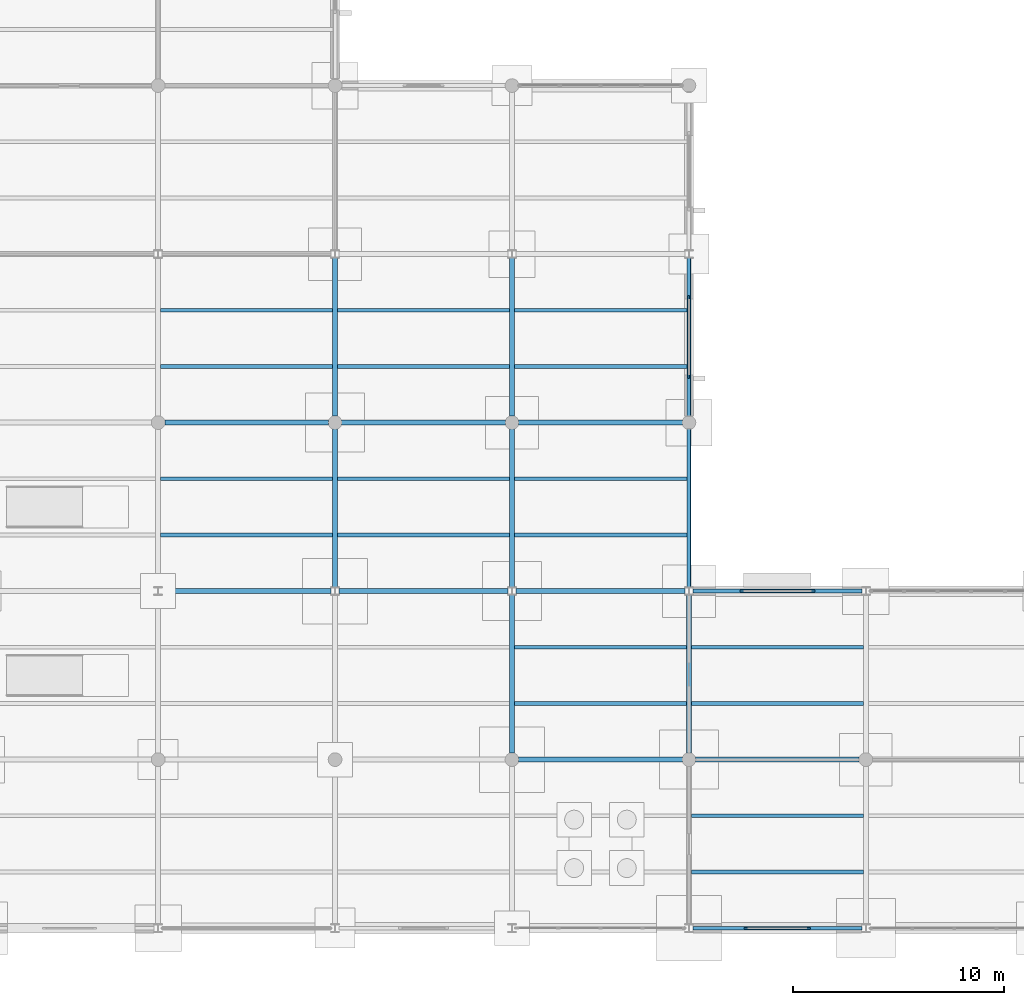
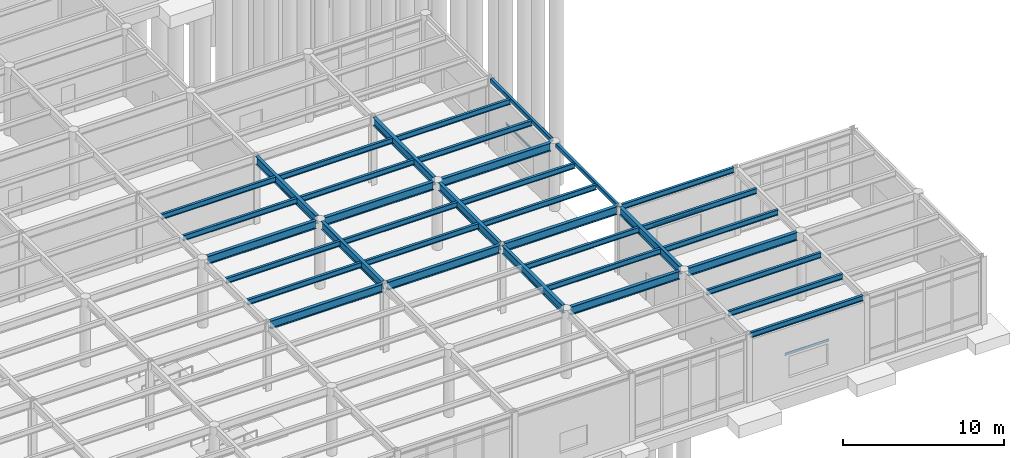
# One storey, part 53 of 138: 39 beams.
"""IFC4 building model written with IfcOpenShell, lengths in metres."""

from ifc_helpers import new_model, si_unit, direction, frame, origin, origin_2d, place, context, subcontext, project, spatial, hollow_rectangle, i_section, u_section, extrude, material, material_profile, profile_set, type_object, element, save


model = new_model("IFC4")

# Units and contexts
model_context = context("Model", 3, precision=1e-05, world=origin(), true_north=direction((0.0, 1.0)))
body_context = subcontext(model_context, "Body", "Model", "MODEL_VIEW")
ifc_project = project(units=[si_unit("LENGTHUNIT", "METRE"), si_unit("AREAUNIT", "SQUARE_METRE"), si_unit("VOLUMEUNIT", "CUBIC_METRE"), si_unit("PLANEANGLEUNIT", "RADIAN"), si_unit("MASSUNIT", "GRAM", prefix="KILO")], contexts=[model_context])

# Site, building, storey
site_placement = place(None, origin())
site = spatial("IfcSite", under=ifc_project, at=site_placement, CompositionType="ELEMENT")
building_placement = place(site_placement, origin())
building = spatial("IfcBuilding", under=site, at=building_placement, Name="Kranzveld Transit Interchange", CompositionType="ELEMENT")
storey_placement = place(building_placement, origin())
storey = spatial("IfcBuildingStorey", under=building, at=storey_placement, Name="L00", CompositionType="ELEMENT", Elevation=0.0)

# Beams
ifc_material_1 = material(Name="Steel S355JR", Category="steel")
ifc_material_profile_1 = material_profile(ifc_material_1, hollow_rectangle(XDim=0.199951171875, YDim=0.300048828125, WallThickness=0.010009765625, InnerFilletRadius=0.014892578125, OuterFilletRadius=0.02490234375, at=origin_2d()), Name="RHS 300x200x10")
ifc_profile_set_1 = profile_set([ifc_material_profile_1], Name="Steel S355JR")
beam_type_1 = type_object("IfcBeamType", Name="Edge Spandrel RHS 300x200x10 S355JR", PredefinedType="SPANDREL", material=ifc_profile_set_1)
for number, where, z_axis, x_axis, name in (
    (1, (151.199951171875, 16.186767578125, 5.0), (0.0, 1.0, 0.0), (-1.0, 0.0, 0.0), "L00 Girder 19/C-D"),
    (2, (151.199951171875, 24.31494140625, 5.0), (0.0, 1.0, 0.0), (-1.0, 0.0, 0.0), "L00 Girder 19/D-E"),
):
    element("IfcBeam", number, at=place(storey_placement, frame(where, z_axis=z_axis, x_axis=x_axis)), inside=storey, type_object=beam_type_1, Name=name, PredefinedType="SPANDREL", context=body_context, shape_type="SweptSolid", body=[
        extrude(hollow_rectangle(XDim=0.199951171875, YDim=0.300048828125, WallThickness=0.010009765625, InnerFilletRadius=0.014892578125, OuterFilletRadius=0.02490234375, at=origin_2d()), origin(), (0.0, 0.0, 1.0), 7.498291015625),
    ])
ifc_material_2 = material(Name="Steel S355JR", Category="steel")
ifc_material_profile_2 = material_profile(ifc_material_2, i_section(OverallWidth=0.1787109375, OverallDepth=0.409423828125, WebThickness=0.0087890625, FlangeThickness=0.014404296875, FilletRadius=0.01025390625, at=origin_2d()), Name="UB 406x178x67")
ifc_profile_set_2 = profile_set([ifc_material_profile_2], Name="Steel S355JR")
beam_type_2 = type_object("IfcBeamType", Name="Facade Spandrel UB 406x178x67 S355JR", PredefinedType="SPANDREL", material=ifc_profile_set_2)
for number, where, z_axis, x_axis, name in (
    (3, (151.389404296875, 0.0, 4.9453125), (1.0, 0.0, 0.0), (0.0, 1.0, 0.0), "L00 Girder 19-20/A"),
    (4, (151.389404296875, 16.0, 4.9453125), (1.0, 0.0, 0.0), (0.0, 1.0, 0.0), "L00 Girder 19-20/C"),
):
    element("IfcBeam", number, at=place(storey_placement, frame(where, z_axis=z_axis, x_axis=x_axis)), inside=storey, type_object=beam_type_2, Name=name, PredefinedType="SPANDREL", context=body_context, shape_type="SweptSolid", body=[
        extrude(i_section(OverallWidth=0.1787109375, OverallDepth=0.409423828125, WebThickness=0.0087890625, FlangeThickness=0.014404296875, FilletRadius=0.01025390625, at=origin_2d()), origin(), (0.0, 0.0, 1.0), 8.02099609375),
    ])
ifc_material_3 = material(Name="Steel S355JR", Category="steel")
ifc_material_profile_3 = material_profile(ifc_material_3, i_section(OverallWidth=0.177734375, OverallDepth=0.402587890625, WebThickness=0.0078125, FlangeThickness=0.010986328125, FilletRadius=0.01025390625, at=origin_2d()), Name="UB 406x178x54")
ifc_profile_set_3 = profile_set([ifc_material_profile_3], Name="Steel S355JR")
beam_type_3 = type_object("IfcBeamType", Name="Floor Joist UB 406x178x54 S355JR", PredefinedType="JOIST", material=ifc_profile_set_3)
for number, where, z_axis, x_axis, name in (
    (5, (126.1162109375, 18.666748046875, 4.94873046875), (1.0, 0.0, 0.0), (0.0, 1.0, 0.0), "L00 Secondary Joist 16-17/C.1"),
    (6, (126.1162109375, 21.333251953125, 4.94873046875), (1.0, 0.0, 0.0), (0.0, 1.0, 0.0), "L00 Secondary Joist 16-17/C.2"),
    (7, (126.1162109375, 26.666748046875, 4.94873046875), (1.0, 0.0, 0.0), (0.0, 1.0, 0.0), "L00 Secondary Joist 16-17/D.1"),
    (8, (126.1162109375, 29.333251953125, 4.94873046875), (1.0, 0.0, 0.0), (0.0, 1.0, 0.0), "L00 Secondary Joist 16-17/D.2"),
    (9, (134.51611328125, 18.666748046875, 4.94873046875), (1.0, 0.0, 0.0), (0.0, 1.0, 0.0), "L00 Secondary Joist 17-18/C.1"),
    (10, (134.51611328125, 21.333251953125, 4.94873046875), (1.0, 0.0, 0.0), (0.0, 1.0, 0.0), "L00 Secondary Joist 17-18/C.2"),
    (11, (134.51611328125, 26.666748046875, 4.94873046875), (1.0, 0.0, 0.0), (0.0, 1.0, 0.0), "L00 Secondary Joist 17-18/D.1"),
    (12, (134.51611328125, 29.333251953125, 4.94873046875), (1.0, 0.0, 0.0), (0.0, 1.0, 0.0), "L00 Secondary Joist 17-18/D.2"),
):
    element("IfcBeam", number, at=place(storey_placement, frame(where, z_axis=z_axis, x_axis=x_axis)), inside=storey, type_object=beam_type_3, Name=name, PredefinedType="JOIST", context=body_context, shape_type="SweptSolid", body=[
        extrude(i_section(OverallWidth=0.177734375, OverallDepth=0.402587890625, WebThickness=0.0078125, FlangeThickness=0.010986328125, FilletRadius=0.01025390625, at=origin_2d()), origin(), (0.0, 0.0, 1.0), 8.167724609375),
    ])
for number, where, z_axis, x_axis, name in (
    (13, (142.916015625, 10.666748046875, 4.94873046875), (1.0, 0.0, 0.0), (0.0, 1.0, 0.0), "L00 Secondary Joist 18-19/B.1"),
    (14, (142.916015625, 13.333251953125, 4.94873046875), (1.0, 0.0, 0.0), (0.0, 1.0, 0.0), "L00 Secondary Joist 18-19/B.2"),
):
    element("IfcBeam", number, at=place(storey_placement, frame(where, z_axis=z_axis, x_axis=x_axis)), inside=storey, type_object=beam_type_3, Name=name, PredefinedType="JOIST", context=body_context, shape_type="SweptSolid", body=[
        extrude(i_section(OverallWidth=0.177734375, OverallDepth=0.402587890625, WebThickness=0.0078125, FlangeThickness=0.010986328125, FilletRadius=0.01025390625, at=origin_2d()), origin(), (0.0, 0.0, 1.0), 8.16796875),
    ])
for number, where, z_axis, x_axis, name in (
    (15, (142.916015625, 18.666748046875, 4.94873046875), (1.0, 0.0, 0.0), (0.0, 1.0, 0.0), "L00 Secondary Joist 18-19/C.1"),
    (16, (142.916015625, 21.333251953125, 4.94873046875), (1.0, 0.0, 0.0), (0.0, 1.0, 0.0), "L00 Secondary Joist 18-19/C.2"),
    (17, (142.916015625, 26.666748046875, 4.94873046875), (1.0, 0.0, 0.0), (0.0, 1.0, 0.0), "L00 Secondary Joist 18-19/D.1"),
    (18, (142.916015625, 29.333251953125, 4.94873046875), (1.0, 0.0, 0.0), (0.0, 1.0, 0.0), "L00 Secondary Joist 18-19/D.2"),
):
    element("IfcBeam", number, at=place(storey_placement, frame(where, z_axis=z_axis, x_axis=x_axis)), inside=storey, type_object=beam_type_3, Name=name, PredefinedType="JOIST", context=body_context, shape_type="SweptSolid", body=[
        extrude(i_section(OverallWidth=0.177734375, OverallDepth=0.402587890625, WebThickness=0.0078125, FlangeThickness=0.010986328125, FilletRadius=0.01025390625, at=origin_2d()), origin(), (0.0, 0.0, 1.0), 8.181884765625),
    ])
for number, where, z_axis, x_axis, name in (
    (19, (151.316162109375, 2.666748046875, 4.94873046875), (1.0, 0.0, 0.0), (0.0, 1.0, 0.0), "L00 Secondary Joist 19-20/A.1"),
    (20, (151.316162109375, 5.333251953125, 4.94873046875), (1.0, 0.0, 0.0), (0.0, 1.0, 0.0), "L00 Secondary Joist 19-20/A.2"),
    (21, (151.316162109375, 10.666748046875, 4.94873046875), (1.0, 0.0, 0.0), (0.0, 1.0, 0.0), "L00 Secondary Joist 19-20/B.1"),
    (22, (151.316162109375, 13.333251953125, 4.94873046875), (1.0, 0.0, 0.0), (0.0, 1.0, 0.0), "L00 Secondary Joist 19-20/B.2"),
):
    element("IfcBeam", number, at=place(storey_placement, frame(where, z_axis=z_axis, x_axis=x_axis)), inside=storey, type_object=beam_type_3, Name=name, PredefinedType="JOIST", context=body_context, shape_type="SweptSolid", body=[
        extrude(i_section(OverallWidth=0.177734375, OverallDepth=0.402587890625, WebThickness=0.0078125, FlangeThickness=0.010986328125, FilletRadius=0.01025390625, at=origin_2d()), origin(), (0.0, 0.0, 1.0), 8.167724609375),
    ])
ifc_material_4 = material(Name="Steel S355JR", Category="steel")
ifc_material_profile_4 = material_profile(ifc_material_4, i_section(OverallWidth=0.228271484375, OverallDepth=0.607666015625, WebThickness=0.010986328125, FlangeThickness=0.017333984375, FilletRadius=0.0126953125, at=origin_2d()), Name="UB 610x229x113")
ifc_profile_set_4 = profile_set([ifc_material_profile_4], Name="Steel S355JR")
beam_type_4 = type_object("IfcBeamType", Name="Girder Steel UB 610x229x113 S355JR", PredefinedType="BEAM", material=ifc_profile_set_4)
for number, where, z_axis, x_axis, name in (
    (23, (134.39990234375, 16.186767578125, 4.84619140625), (0.0, 1.0, 0.0), (-1.0, 0.0, 0.0), "L00 Girder 17/C-D"),
    (24, (134.39990234375, 24.31494140625, 4.84619140625), (0.0, 1.0, 0.0), (-1.0, 0.0, 0.0), "L00 Girder 17/D-E"),
    (25, (142.800048828125, 8.31494140625, 4.84619140625), (0.0, 1.0, 0.0), (-1.0, 0.0, 0.0), "L00 Girder 18/B-C"),
    (26, (142.800048828125, 16.186767578125, 4.84619140625), (0.0, 1.0, 0.0), (-1.0, 0.0, 0.0), "L00 Girder 18/C-D"),
    (27, (142.800048828125, 24.31494140625, 4.84619140625), (0.0, 1.0, 0.0), (-1.0, 0.0, 0.0), "L00 Girder 18/D-E"),
    (28, (151.199951171875, 8.31494140625, 4.84619140625), (0.0, 1.0, 0.0), (-1.0, 0.0, 0.0), "L00 Girder 19/B-C"),
):
    element("IfcBeam", number, at=place(storey_placement, frame(where, z_axis=z_axis, x_axis=x_axis)), inside=storey, type_object=beam_type_4, Name=name, PredefinedType="BEAM", context=body_context, shape_type="SweptSolid", body=[
        extrude(i_section(OverallWidth=0.228271484375, OverallDepth=0.607666015625, WebThickness=0.010986328125, FlangeThickness=0.017333984375, FilletRadius=0.0126953125, at=origin_2d()), origin(), (0.0, 0.0, 1.0), 7.498291015625),
    ])
ifc_material_5 = material(Name="Steel S355JR", Category="steel")
ifc_material_profile_5 = material_profile(ifc_material_5, i_section(OverallWidth=0.230224609375, OverallDepth=0.6171875, WebThickness=0.01318359375, FlangeThickness=0.022216796875, FilletRadius=0.0126953125, at=origin_2d()), Name="UB 610x229x140")
ifc_profile_set_5 = profile_set([ifc_material_profile_5], Name="Steel S355JR")
beam_type_5 = type_object("IfcBeamType", Name="Girder Steel UB 610x229x140 S355JR", PredefinedType="BEAM", material=ifc_profile_set_5)
for number, where, z_axis, x_axis, name in (
    (29, (143.114990234375, 8.0, 4.84130859375), (1.0, 0.0, 0.0), (0.0, 1.0, 0.0), "L00 Girder 18-19/B"),
    (30, (151.514892578125, 8.0, 4.84130859375), (1.0, 0.0, 0.0), (0.0, 1.0, 0.0), "L00 Girder 19-20/B"),
):
    element("IfcBeam", number, at=place(storey_placement, frame(where, z_axis=z_axis, x_axis=x_axis)), inside=storey, type_object=beam_type_5, Name=name, PredefinedType="BEAM", context=body_context, shape_type="SweptSolid", body=[
        extrude(i_section(OverallWidth=0.230224609375, OverallDepth=0.6171875, WebThickness=0.01318359375, FlangeThickness=0.022216796875, FilletRadius=0.0126953125, at=origin_2d()), origin(), (0.0, 0.0, 1.0), 7.77001953125),
    ])
for number, where, z_axis, x_axis, name in (
    (31, (126.189453125, 16.0, 4.84130859375), (1.0, 0.0, 0.0), (0.0, 1.0, 0.0), "L00 Girder 16-17/C"),
    (32, (134.589599609375, 16.0, 4.84130859375), (1.0, 0.0, 0.0), (0.0, 1.0, 0.0), "L00 Girder 17-18/C"),
    (33, (142.989501953125, 16.0, 4.84130859375), (1.0, 0.0, 0.0), (0.0, 1.0, 0.0), "L00 Girder 18-19/C"),
):
    element("IfcBeam", number, at=place(storey_placement, frame(where, z_axis=z_axis, x_axis=x_axis)), inside=storey, type_object=beam_type_5, Name=name, PredefinedType="BEAM", context=body_context, shape_type="SweptSolid", body=[
        extrude(i_section(OverallWidth=0.230224609375, OverallDepth=0.6171875, WebThickness=0.01318359375, FlangeThickness=0.022216796875, FilletRadius=0.0126953125, at=origin_2d()), origin(), (0.0, 0.0, 1.0), 8.02099609375),
    ])
for number, where, z_axis, x_axis, name in (
    (34, (126.31494140625, 24.0, 4.84130859375), (1.0, 0.0, 0.0), (0.0, 1.0, 0.0), "L00 Girder 16-17/D"),
    (35, (134.715087890625, 24.0, 4.84130859375), (1.0, 0.0, 0.0), (0.0, 1.0, 0.0), "L00 Girder 17-18/D"),
    (36, (143.114990234375, 24.0, 4.84130859375), (1.0, 0.0, 0.0), (0.0, 1.0, 0.0), "L00 Girder 18-19/D"),
):
    element("IfcBeam", number, at=place(storey_placement, frame(where, z_axis=z_axis, x_axis=x_axis)), inside=storey, type_object=beam_type_5, Name=name, PredefinedType="BEAM", context=body_context, shape_type="SweptSolid", body=[
        extrude(i_section(OverallWidth=0.230224609375, OverallDepth=0.6171875, WebThickness=0.01318359375, FlangeThickness=0.022216796875, FilletRadius=0.0126953125, at=origin_2d()), origin(), (0.0, 0.0, 1.0), 7.77001953125),
    ])
ifc_material_6 = material(Name="Steel S355JR", Category="steel")
ifc_material_profile_6 = material_profile(ifc_material_6, u_section(Depth=0.179931640625, FlangeWidth=0.070068359375, WebThickness=0.007080078125, FlangeThickness=0.010986328125, FilletRadius=0.010009765625, at=origin_2d()), Name="PFC 180x70x22")
ifc_profile_set_6 = profile_set([ifc_material_profile_6], Name="Steel S355JR")
beam_type_6 = type_object("IfcBeamType", Name="Masonry Lintel PFC 180x70x22 S355JR", PredefinedType="LINTEL", material=ifc_profile_set_6)
beam_1_placement = place(storey_placement, frame((151.199951171875, 26.083984375, 2.794921875), z_axis=(0.0, 1.0, 0.0), x_axis=(-1.0, 0.0, 0.0)))
element("IfcBeam", 37, at=beam_1_placement, inside=storey, type_object=beam_type_6, Name="L00 Window Lintel 041", PredefinedType="LINTEL", context=body_context, shape_type="SweptSolid", body=[
    extrude(u_section(Depth=0.179931640625, FlangeWidth=0.070068359375, WebThickness=0.007080078125, FlangeThickness=0.010986328125, FilletRadius=0.010009765625, at=origin_2d()), origin(), (0.0, 0.0, 1.0), 3.960205078125),
])
beam_2_placement = place(storey_placement, frame((153.820068359375, 0.0, 2.594970703125), z_axis=(1.0, 0.0, 0.0), x_axis=(0.0, 1.0, 0.0)))
element("IfcBeam", 38, at=beam_2_placement, inside=storey, type_object=beam_type_6, Name="L00 Window Lintel 045", PredefinedType="LINTEL", context=body_context, shape_type="SweptSolid", body=[
    extrude(u_section(Depth=0.179931640625, FlangeWidth=0.070068359375, WebThickness=0.007080078125, FlangeThickness=0.010986328125, FilletRadius=0.010009765625, at=origin_2d()), origin(), (0.0, 0.0, 1.0), 3.159912109375),
])
ifc_material_7 = material(Name="Steel S355JR", Category="steel")
ifc_material_profile_7 = material_profile(ifc_material_7, i_section(OverallWidth=0.091064453125, OverallDepth=0.179931640625, WebThickness=0.00537109375, FlangeThickness=0.008056640625, FilletRadius=0.009033203125, at=origin_2d()), Name="IPE 180")
ifc_profile_set_7 = profile_set([ifc_material_profile_7], Name="Steel S355JR")
beam_type_7 = type_object("IfcBeamType", Name="Opening Lintel IPE 180 S355JR", PredefinedType="LINTEL", material=ifc_profile_set_7)
beam_3_placement = place(storey_placement, frame((153.6201171875, 16.0, 2.64501953125), z_axis=(1.0, 0.0, 0.0), x_axis=(0.0, 1.0, 0.0)))
element("IfcBeam", 39, at=beam_3_placement, inside=storey, type_object=beam_type_7, Name="L00 Window Lintel 043", PredefinedType="LINTEL", context=body_context, shape_type="SweptSolid", body=[
    extrude(i_section(OverallWidth=0.091064453125, OverallDepth=0.179931640625, WebThickness=0.00537109375, FlangeThickness=0.008056640625, FilletRadius=0.009033203125, at=origin_2d()), origin(), (0.0, 0.0, 1.0), 3.559814453125),
])

save(model, "model.ifc")
